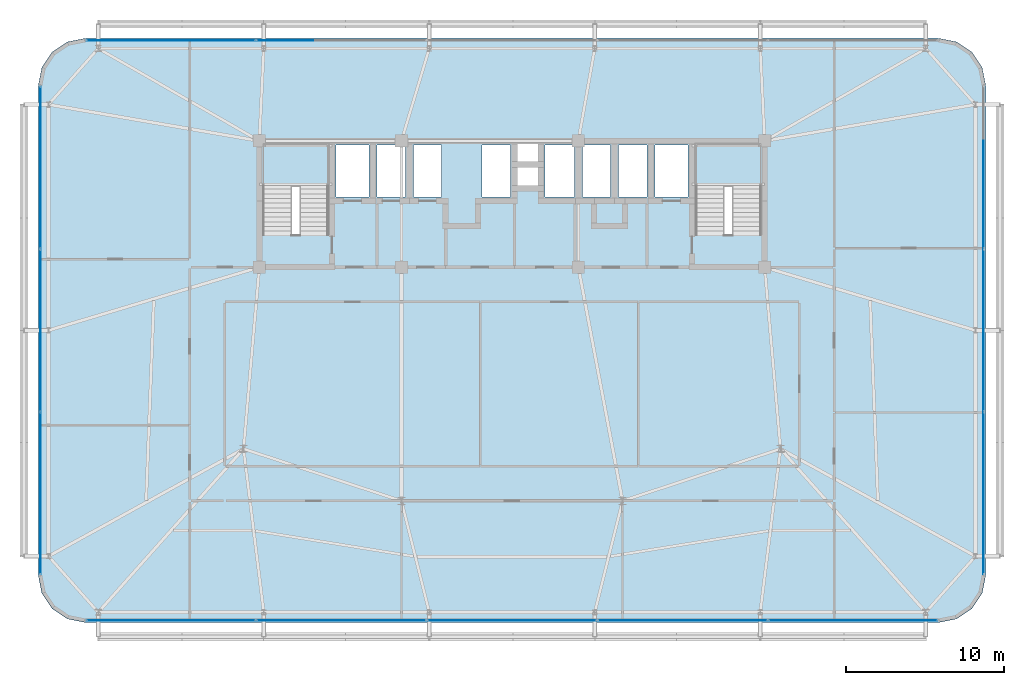
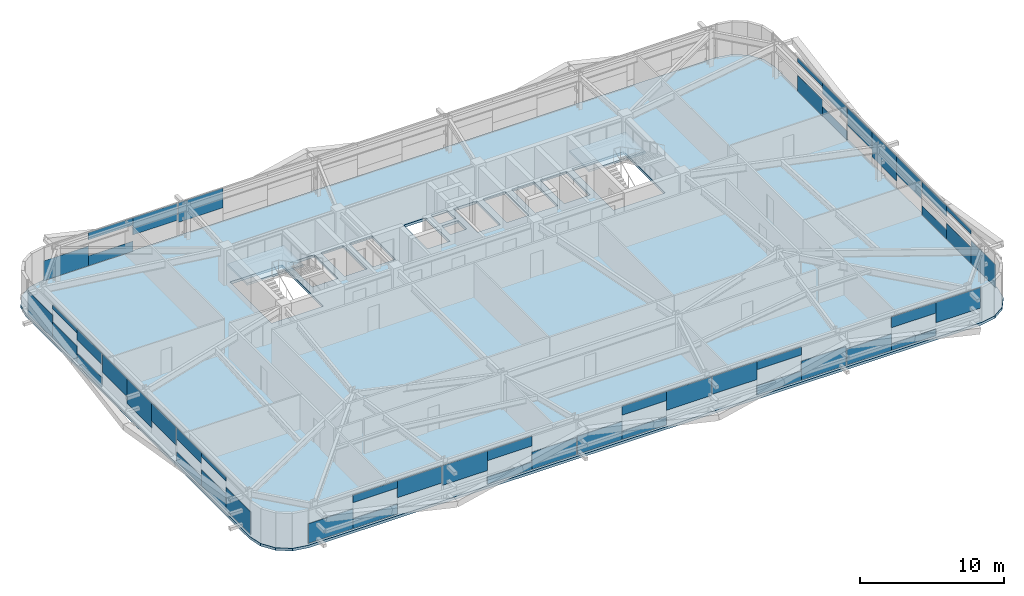
# One storey, part 29 of 44: 50 plates, 3 slabs, 6 elements without a shape of their own.
"""IFC4 building model written with IfcOpenShell, lengths in metres."""

from ifc_helpers import new_model, si_unit, direction, frame, origin, origin_2d, place, context, subcontext, project, spatial, polyline, rectangle, outline, extrude, source, transform, mapped, material, layer, layer_set, type_object, element, aggregate, save


model = new_model("IFC4")

# Units and contexts
model_context = context("Model", 3, precision=1e-05, world=origin(), true_north=direction((0.0, 1.0)))
body_context = subcontext(model_context, "Body", "Model", "MODEL_VIEW")
ifc_project = project(units=[si_unit("LENGTHUNIT", "METRE"), si_unit("AREAUNIT", "SQUARE_METRE"), si_unit("VOLUMEUNIT", "CUBIC_METRE"), si_unit("PLANEANGLEUNIT", "RADIAN"), si_unit("MASSUNIT", "GRAM", prefix="KILO")], contexts=[model_context])

# Site, building, storey
site_placement = place(None, origin())
site = spatial("IfcSite", under=ifc_project, at=site_placement, CompositionType="ELEMENT")
building_placement = place(site_placement, origin())
building = spatial("IfcBuilding", under=site, at=building_placement, Name="Taldren Reach Tower", CompositionType="ELEMENT")
storey_placement = place(building_placement, frame((0.0, 0.0, 38.85009765625)))
storey = spatial("IfcBuildingStorey", under=building, at=storey_placement, Name="L11", CompositionType="ELEMENT", Elevation=38.85009765625)

# Slab
ifc_material_1 = material(Name="Concrete N40 (40 MPa)", Category="concrete")
ifc_layer_1 = layer(ifc_material_1, 0.219970703125)
ifc_layer_set_1 = layer_set([ifc_layer_1], Name="Concrete N40 (40 MPa)")
slab_type_1 = type_object("IfcSlabType", Name="SL-FLR-220", PredefinedType="FLOOR", material=ifc_layer_set_1)
slab_1_placement = place(storey_placement, frame((0.0, 0.0, -0.22021484375)))
element("IfcSlab", 1, at=slab_1_placement, inside=storey, type_object=slab_type_1, Name="Suspended floor slab L11", PredefinedType="FLOOR", context=body_context, shape_type="SweptSolid", body=[
    extrude(outline(polyline([(62.0, 1.5), (63.14794921875, 1.728271484375), (64.121337890625, 2.378662109375), (64.771728515625, 3.35205078125), (65.0, 4.5), (65.0, 35.5), (64.771728515625, 36.64794921875), (64.121337890625, 37.621337890625), (63.14794921875, 38.271728515625), (62.0, 38.5), (8.0, 38.5), (6.85205078125, 38.271728515625), (5.878662109375, 37.621337890625), (5.228271484375, 36.64794921875), (5.0, 35.5), (5.0, 4.5), (5.228271484375, 3.35205078125), (5.878662109375, 2.378662109375), (6.85205078125, 1.728271484375), (8.0, 1.5), (62.0, 1.5)]), holes=[polyline([(19.219970703125, 26.050048828125), (23.3798828125, 26.050048828125), (23.3798828125, 31.820068359375), (19.219970703125, 31.820068359375), (19.219970703125, 26.050048828125)]), polyline([(46.6201171875, 26.050048828125), (50.780029296875, 26.050048828125), (50.780029296875, 31.820068359375), (46.6201171875, 31.820068359375), (46.6201171875, 26.050048828125)]), polyline([(23.85009765625, 28.449951171875), (25.949951171875, 28.449951171875), (25.949951171875, 31.75), (23.85009765625, 31.75), (23.85009765625, 28.449951171875)]), polyline([(44.050048828125, 28.449951171875), (46.14990234375, 28.449951171875), (46.14990234375, 31.75), (44.050048828125, 31.75), (44.050048828125, 28.449951171875)]), polyline([(26.449951171875, 28.449951171875), (28.25, 28.449951171875), (28.25, 31.75), (26.449951171875, 31.75), (26.449951171875, 28.449951171875)]), polyline([(28.75, 28.449951171875), (30.550048828125, 28.449951171875), (30.550048828125, 31.75), (28.75, 31.75), (28.75, 28.449951171875)]), polyline([(33.10009765625, 28.449951171875), (34.89990234375, 28.449951171875), (34.89990234375, 31.75), (33.10009765625, 31.75), (33.10009765625, 28.449951171875)]), polyline([(37.10009765625, 28.449951171875), (38.949951171875, 28.449951171875), (38.949951171875, 31.75), (37.10009765625, 31.75), (37.10009765625, 28.449951171875)]), polyline([(39.449951171875, 28.449951171875), (41.25, 28.449951171875), (41.25, 31.75), (39.449951171875, 31.75), (39.449951171875, 28.449951171875)]), polyline([(41.75, 28.449951171875), (43.550048828125, 28.449951171875), (43.550048828125, 31.75), (41.75, 31.75), (41.75, 28.449951171875)]), polyline([(35.35009765625, 30.64990234375), (36.64990234375, 30.64990234375), (36.64990234375, 31.85009765625), (35.35009765625, 31.85009765625), (35.35009765625, 30.64990234375)]), polyline([(35.35009765625, 29.14990234375), (36.64990234375, 29.14990234375), (36.64990234375, 30.35009765625), (35.35009765625, 30.35009765625), (35.35009765625, 29.14990234375)])]), origin(), (0.0, 0.0, 1.0), 0.22021484375),
])

# Stair, slab
ifc_material_2 = material(Name="Concrete S50 (50 MPa)", Category="concrete")
stair_type = type_object("IfcStairType", Name="ST-HT-315", PredefinedType="HALF_TURN_STAIR", material=ifc_material_2)
stair_1_placement = place(storey_placement, origin())
stair_1 = element("IfcStair", 2, at=stair_1_placement, inside=storey, type_object=stair_type, Name="Fire-isolated exit stair ST1 L11", PredefinedType="HALF_TURN_STAIR")
ifc_layer_2 = layer(ifc_material_2, 0.179931640625)
ifc_layer_set_2 = layer_set([ifc_layer_2], Name="Concrete S50 (50 MPa)")
slab_type_2 = type_object("IfcSlabType", Name="SL-LAND-180", PredefinedType="LANDING", material=ifc_layer_set_2)
slab_2_placement = place(storey_placement, frame((0.0, 0.0, 1.39501953125)))
slab_2 = element("IfcSlab", 3, at=slab_2_placement, type_object=slab_type_2, Name="ST1 landing 1", PredefinedType="LANDING", context=body_context, shape_type="SweptSolid", body=[
    extrude(outline(polyline([(19.0400390625, 29.135009765625), (23.56005859375, 29.135009765625), (23.56005859375, 31.8701171875), (19.0400390625, 31.8701171875), (19.0400390625, 29.135009765625)])), origin(), (0.0, 0.0, 1.0), 0.179931640625),
])
aggregate(stair_1, [slab_2])

stair_2_placement = place(storey_placement, origin())
stair_2 = element("IfcStair", 4, at=stair_2_placement, inside=storey, type_object=stair_type, Name="Fire-isolated exit stair ST2 L11", PredefinedType="HALF_TURN_STAIR")
slab_3_placement = place(storey_placement, frame((0.0, 0.0, 1.39501953125)))
slab_3 = element("IfcSlab", 5, at=slab_3_placement, type_object=slab_type_2, Name="ST2 landing 1", PredefinedType="LANDING", context=body_context, shape_type="SweptSolid", body=[
    extrude(outline(polyline([(46.43994140625, 29.135009765625), (50.9599609375, 29.135009765625), (50.9599609375, 31.8701171875), (46.43994140625, 31.8701171875), (46.43994140625, 29.135009765625)])), origin(), (0.0, 0.0, 1.0), 0.179931640625),
])
aggregate(stair_2, [slab_3])

# Curtain wall, plates
ifc_material_3 = material(Name="Aluminium and Low-E Glass Unitised System", Category="aluminium")
ifc_layer_3 = layer(ifc_material_3, 0.159912109375)
ifc_layer_set_3 = layer_set([ifc_layer_3], Name="Aluminium and Low-E Glass Unitised System")
curtain_wall_type = type_object("IfcCurtainWallType", Name="CW-SYS-2", PredefinedType="NOTDEFINED", material=ifc_layer_set_3)
curtain_wall_1_placement = place(storey_placement, origin())
curtain_wall_1 = element("IfcCurtainWall", 6, at=curtain_wall_1_placement, inside=storey, type_object=curtain_wall_type, Name="Unitised curtain wall CW-L11-S", PredefinedType="NOTDEFINED")
ifc_material_4 = material(Name="Solar-Control Double Glazed IGU", Category="glass")
ifc_layer_4 = layer(ifc_material_4, 0.031982421875)
ifc_layer_set_4 = layer_set([ifc_layer_4], Name="Solar-Control Double Glazed IGU")
plate_type = type_object("IfcPlateType", Name="CW-PNL-IGU32", PredefinedType="CURTAIN_PANEL", material=ifc_layer_set_4)
shared_shape_1 = source(origin(), body_context, "Body", "SweptSolid", [
    extrude(rectangle(XDim=3.5673828125, YDim=0.031982421875, at=origin_2d()), origin(), (0.0, 0.0, 1.0), 1.7314453125),
])
plate_1_placement = place(storey_placement, frame((60.1513671875, 1.639892578125, 1.1435546875), z_axis=(0.0, 0.0, 1.0), x_axis=(1.0, 0.0, 0.0)))
plate_1 = element("IfcPlate", 7, at=plate_1_placement, type_object=plate_type, Name="CW-2 panel 5.1 part 4", PredefinedType="CURTAIN_PANEL", context=body_context, shape_type="MappedRepresentation", body=[
    mapped(shared_shape_1, transform((0.0, 0.0, 0.0), scale=1.0)),
])
shared_shape_2 = source(origin(), body_context, "Body", "SweptSolid", [
    extrude(rectangle(XDim=3.5673828125, YDim=0.031982421875, at=origin_2d()), origin(), (0.0, 0.0, 1.0), 0.554931640625),
])
plate_2_placement = place(storey_placement, frame((56.583740234375, 1.639892578125, 0.05517578125), z_axis=(0.0, 0.0, 1.0), x_axis=(1.0, 0.0, 0.0)))
plate_2 = element("IfcPlate", 8, at=plate_2_placement, type_object=plate_type, Name="CW-2 panel 5.1 part 2", PredefinedType="CURTAIN_PANEL", context=body_context, shape_type="MappedRepresentation", body=[
    mapped(shared_shape_2, transform((0.0, 0.0, 0.0), scale=1.0)),
])
shared_shape_3 = source(origin(), body_context, "Body", "SweptSolid", [
    extrude(rectangle(XDim=3.5673828125, YDim=0.031982421875, at=origin_2d()), origin(), (0.0, 0.0, 1.0), 0.904296875),
])
plate_3_placement = place(storey_placement, frame((56.583740234375, 1.639892578125, 1.970703125), z_axis=(0.0, 0.0, 1.0), x_axis=(1.0, 0.0, 0.0)))
plate_3 = element("IfcPlate", 9, at=plate_3_placement, type_object=plate_type, Name="CW-2 panel 5.1 part 3", PredefinedType="CURTAIN_PANEL", context=body_context, shape_type="MappedRepresentation", body=[
    mapped(shared_shape_3, transform((0.0, 0.0, 0.0), scale=1.0)),
])
shared_shape_4 = source(origin(), body_context, "Body", "SweptSolid", [
    extrude(rectangle(XDim=3.5673828125, YDim=0.031982421875, at=origin_2d()), origin(), (0.0, 0.0, 1.0), 1.38232421875),
])
plate_4_placement = place(storey_placement, frame((53.016357421875, 1.639892578125, 0.054931640625), z_axis=(0.0, 0.0, 1.0), x_axis=(1.0, 0.0, 0.0)))
plate_4 = element("IfcPlate", 10, at=plate_4_placement, type_object=plate_type, Name="CW-2 panel 5.1 part 1", PredefinedType="CURTAIN_PANEL", context=body_context, shape_type="MappedRepresentation", body=[
    mapped(shared_shape_4, transform((0.0, 0.0, 0.0), scale=1.0)),
])
shared_shape_5 = source(origin(), body_context, "Body", "SweptSolid", [
    extrude(rectangle(XDim=3.578369140625, YDim=0.031982421875, at=origin_2d()), origin(), (0.0, 0.0, 1.0), 1.602294921875),
])
plate_5_placement = place(storey_placement, frame((49.37841796875, 1.639892578125, 0.0546875), z_axis=(0.0, 0.0, 1.0), x_axis=(1.0, 0.0, 0.0)))
plate_5 = element("IfcPlate", 11, at=plate_5_placement, type_object=plate_type, Name="CW-2 panel 4.1 part 4", PredefinedType="CURTAIN_PANEL", context=body_context, shape_type="MappedRepresentation", body=[
    mapped(shared_shape_5, transform((0.0, 0.0, 0.0), scale=1.0)),
])
shared_shape_6 = source(origin(), body_context, "Body", "SweptSolid", [
    extrude(rectangle(XDim=3.578369140625, YDim=0.031982421875, at=origin_2d()), origin(), (0.0, 0.0, 1.0), 0.7724609375),
])
plate_6_placement = place(storey_placement, frame((45.800048828125, 1.639892578125, 0.054931640625), z_axis=(0.0, 0.0, 1.0), x_axis=(1.0, 0.0, 0.0)))
plate_6 = element("IfcPlate", 12, at=plate_6_placement, type_object=plate_type, Name="CW-2 panel 4.1 part 2", PredefinedType="CURTAIN_PANEL", context=body_context, shape_type="MappedRepresentation", body=[
    mapped(shared_shape_6, transform((0.0, 0.0, 0.0), scale=1.0)),
])
shared_shape_7 = source(origin(), body_context, "Body", "SweptSolid", [
    extrude(rectangle(XDim=3.578369140625, YDim=0.031982421875, at=origin_2d()), origin(), (0.0, 0.0, 1.0), 0.68408203125),
])
plate_7_placement = place(storey_placement, frame((45.800048828125, 1.639892578125, 2.190673828125), z_axis=(0.0, 0.0, 1.0), x_axis=(1.0, 0.0, 0.0)))
plate_7 = element("IfcPlate", 13, at=plate_7_placement, type_object=plate_type, Name="CW-2 panel 4.1 part 3", PredefinedType="CURTAIN_PANEL", context=body_context, shape_type="MappedRepresentation", body=[
    mapped(shared_shape_7, transform((0.0, 0.0, 0.0), scale=1.0)),
])
shared_shape_8 = source(origin(), body_context, "Body", "SweptSolid", [
    extrude(rectangle(XDim=3.578369140625, YDim=0.031982421875, at=origin_2d()), origin(), (0.0, 0.0, 1.0), 1.513916015625),
])
plate_8_placement = place(storey_placement, frame((42.2216796875, 1.639892578125, 1.36083984375), z_axis=(0.0, 0.0, 1.0), x_axis=(1.0, 0.0, 0.0)))
plate_8 = element("IfcPlate", 14, at=plate_8_placement, type_object=plate_type, Name="CW-2 panel 4.1 part 1", PredefinedType="CURTAIN_PANEL", context=body_context, shape_type="MappedRepresentation", body=[
    mapped(shared_shape_8, transform((0.0, 0.0, 0.0), scale=1.0)),
])
shared_shape_9 = source(origin(), body_context, "Body", "SweptSolid", [
    extrude(rectangle(XDim=3.578369140625, YDim=0.031982421875, at=origin_2d()), origin(), (0.0, 0.0, 1.0), 1.588134765625),
])
plate_9_placement = place(storey_placement, frame((38.578369140625, 1.639892578125, 1.28662109375), z_axis=(0.0, 0.0, 1.0), x_axis=(1.0, 0.0, 0.0)))
plate_9 = element("IfcPlate", 15, at=plate_9_placement, type_object=plate_type, Name="CW-2 panel 3.1 part 4", PredefinedType="CURTAIN_PANEL", context=body_context, shape_type="MappedRepresentation", body=[
    mapped(shared_shape_9, transform((0.0, 0.0, 0.0), scale=1.0)),
])
shared_shape_10 = source(origin(), body_context, "Body", "SweptSolid", [
    extrude(rectangle(XDim=3.578369140625, YDim=0.031982421875, at=origin_2d()), origin(), (0.0, 0.0, 1.0), 0.698486328125),
])
plate_10_placement = place(storey_placement, frame((35.0, 1.639892578125, 0.0546875), z_axis=(0.0, 0.0, 1.0), x_axis=(1.0, 0.0, 0.0)))
plate_10 = element("IfcPlate", 16, at=plate_10_placement, type_object=plate_type, Name="CW-2 panel 3.1 part 2", PredefinedType="CURTAIN_PANEL", context=body_context, shape_type="MappedRepresentation", body=[
    mapped(shared_shape_10, transform((0.0, 0.0, 0.0), scale=1.0)),
])
shared_shape_11 = source(origin(), body_context, "Body", "SweptSolid", [
    extrude(rectangle(XDim=3.578369140625, YDim=0.031982421875, at=origin_2d()), origin(), (0.0, 0.0, 1.0), 0.75830078125),
])
plate_11_placement = place(storey_placement, frame((35.0, 1.639892578125, 2.116455078125), z_axis=(0.0, 0.0, 1.0), x_axis=(1.0, 0.0, 0.0)))
plate_11 = element("IfcPlate", 17, at=plate_11_placement, type_object=plate_type, Name="CW-2 panel 3.1 part 3", PredefinedType="CURTAIN_PANEL", context=body_context, shape_type="MappedRepresentation", body=[
    mapped(shared_shape_11, transform((0.0, 0.0, 0.0), scale=1.0)),
])
shared_shape_12 = source(origin(), body_context, "Body", "SweptSolid", [
    extrude(rectangle(XDim=3.578369140625, YDim=0.031982421875, at=origin_2d()), origin(), (0.0, 0.0, 1.0), 1.528076171875),
])
plate_12_placement = place(storey_placement, frame((31.421630859375, 1.639892578125, 0.0546875), z_axis=(0.0, 0.0, 1.0), x_axis=(1.0, 0.0, 0.0)))
plate_12 = element("IfcPlate", 18, at=plate_12_placement, type_object=plate_type, Name="CW-2 panel 3.1 part 1", PredefinedType="CURTAIN_PANEL", context=body_context, shape_type="MappedRepresentation", body=[
    mapped(shared_shape_12, transform((0.0, 0.0, 0.0), scale=1.0)),
])
shared_shape_13 = source(origin(), body_context, "Body", "SweptSolid", [
    extrude(rectangle(XDim=3.578369140625, YDim=0.031982421875, at=origin_2d()), origin(), (0.0, 0.0, 1.0), 1.453857421875),
])
plate_13_placement = place(storey_placement, frame((27.7783203125, 1.639892578125, 0.0546875), z_axis=(0.0, 0.0, 1.0), x_axis=(1.0, 0.0, 0.0)))
plate_13 = element("IfcPlate", 19, at=plate_13_placement, type_object=plate_type, Name="CW-2 panel 2.1 part 4", PredefinedType="CURTAIN_PANEL", context=body_context, shape_type="MappedRepresentation", body=[
    mapped(shared_shape_13, transform((0.0, 0.0, 0.0), scale=1.0)),
])
shared_shape_14 = source(origin(), body_context, "Body", "SweptSolid", [
    extrude(rectangle(XDim=3.578369140625, YDim=0.031982421875, at=origin_2d()), origin(), (0.0, 0.0, 1.0), 0.624267578125),
])
plate_14_placement = place(storey_placement, frame((24.199951171875, 1.639892578125, 0.0546875), z_axis=(0.0, 0.0, 1.0), x_axis=(1.0, 0.0, 0.0)))
plate_14 = element("IfcPlate", 20, at=plate_14_placement, type_object=plate_type, Name="CW-2 panel 2.1 part 2", PredefinedType="CURTAIN_PANEL", context=body_context, shape_type="MappedRepresentation", body=[
    mapped(shared_shape_14, transform((0.0, 0.0, 0.0), scale=1.0)),
])
shared_shape_15 = source(origin(), body_context, "Body", "SweptSolid", [
    extrude(rectangle(XDim=3.578369140625, YDim=0.031982421875, at=origin_2d()), origin(), (0.0, 0.0, 1.0), 0.83251953125),
])
plate_15_placement = place(storey_placement, frame((24.199951171875, 1.639892578125, 2.042236328125), z_axis=(0.0, 0.0, 1.0), x_axis=(1.0, 0.0, 0.0)))
plate_15 = element("IfcPlate", 21, at=plate_15_placement, type_object=plate_type, Name="CW-2 panel 2.1 part 3", PredefinedType="CURTAIN_PANEL", context=body_context, shape_type="MappedRepresentation", body=[
    mapped(shared_shape_15, transform((0.0, 0.0, 0.0), scale=1.0)),
])
shared_shape_16 = source(origin(), body_context, "Body", "SweptSolid", [
    extrude(rectangle(XDim=3.578369140625, YDim=0.031982421875, at=origin_2d()), origin(), (0.0, 0.0, 1.0), 1.662353515625),
])
plate_16_placement = place(storey_placement, frame((20.62158203125, 1.639892578125, 1.21240234375), z_axis=(0.0, 0.0, 1.0), x_axis=(1.0, 0.0, 0.0)))
plate_16 = element("IfcPlate", 22, at=plate_16_placement, type_object=plate_type, Name="CW-2 panel 2.1 part 1", PredefinedType="CURTAIN_PANEL", context=body_context, shape_type="MappedRepresentation", body=[
    mapped(shared_shape_16, transform((0.0, 0.0, 0.0), scale=1.0)),
])

# Curtain wall, plate
curtain_wall_2_placement = place(storey_placement, origin())
curtain_wall_2 = element("IfcCurtainWall", 23, at=curtain_wall_2_placement, inside=storey, type_object=curtain_wall_type, Name="Unitised curtain wall CW-L11-N", PredefinedType="NOTDEFINED")
plate_17_placement = place(storey_placement, frame((20.62158203125, 38.360107421875, 1.21240234375), z_axis=(0.0, 0.0, 1.0), x_axis=(-1.0, 0.0, 0.0)))
plate_17 = element("IfcPlate", 24, at=plate_17_placement, type_object=plate_type, Name="CW-2 panel 4.1 part 4", PredefinedType="CURTAIN_PANEL", context=body_context, shape_type="MappedRepresentation", body=[
    mapped(shared_shape_16, transform((0.0, 0.0, 0.0), scale=1.0)),
])

# Plate
shared_shape_17 = source(origin(), body_context, "Body", "SweptSolid", [
    extrude(rectangle(XDim=3.5673828125, YDim=0.031982421875, at=origin_2d()), origin(), (0.0, 0.0, 1.0), 1.442138671875),
])
plate_18_placement = place(storey_placement, frame((16.983642578125, 1.639892578125, 1.4326171875), z_axis=(0.0, 0.0, 1.0), x_axis=(1.0, 0.0, 0.0)))
plate_18 = element("IfcPlate", 25, at=plate_18_placement, type_object=plate_type, Name="CW-2 panel 1.1 part 4", PredefinedType="CURTAIN_PANEL", context=body_context, shape_type="MappedRepresentation", body=[
    mapped(shared_shape_17, transform((0.0, 0.0, 0.0), scale=1.0)),
])

plate_19_placement = place(storey_placement, frame((16.983642578125, 38.360107421875, 1.4326171875), z_axis=(0.0, 0.0, 1.0), x_axis=(-1.0, 0.0, 0.0)))
plate_19 = element("IfcPlate", 26, at=plate_19_placement, type_object=plate_type, Name="CW-2 panel 5.1 part 1", PredefinedType="CURTAIN_PANEL", context=body_context, shape_type="MappedRepresentation", body=[
    mapped(shared_shape_17, transform((0.0, 0.0, 0.0), scale=1.0)),
])

shared_shape_18 = source(origin(), body_context, "Body", "SweptSolid", [
    extrude(rectangle(XDim=3.5673828125, YDim=0.031982421875, at=origin_2d()), origin(), (0.0, 0.0, 1.0), 0.84423828125),
])
plate_20_placement = place(storey_placement, frame((13.416259765625, 1.639892578125, 0.054931640625), z_axis=(0.0, 0.0, 1.0), x_axis=(1.0, 0.0, 0.0)))
plate_20 = element("IfcPlate", 27, at=plate_20_placement, type_object=plate_type, Name="CW-2 panel 1.1 part 2", PredefinedType="CURTAIN_PANEL", context=body_context, shape_type="MappedRepresentation", body=[
    mapped(shared_shape_18, transform((0.0, 0.0, 0.0), scale=1.0)),
])

plate_21_placement = place(storey_placement, frame((13.416259765625, 38.360107421875, 0.054931640625), z_axis=(0.0, 0.0, 1.0), x_axis=(-1.0, 0.0, 0.0)))
plate_21 = element("IfcPlate", 28, at=plate_21_placement, type_object=plate_type, Name="CW-2 panel 5.1 part 2", PredefinedType="CURTAIN_PANEL", context=body_context, shape_type="MappedRepresentation", body=[
    mapped(shared_shape_18, transform((0.0, 0.0, 0.0), scale=1.0)),
])

shared_shape_19 = source(origin(), body_context, "Body", "SweptSolid", [
    extrude(rectangle(XDim=3.5673828125, YDim=0.031982421875, at=origin_2d()), origin(), (0.0, 0.0, 1.0), 0.614990234375),
])
plate_22_placement = place(storey_placement, frame((13.416259765625, 1.639892578125, 2.259765625), z_axis=(0.0, 0.0, 1.0), x_axis=(1.0, 0.0, 0.0)))
plate_22 = element("IfcPlate", 29, at=plate_22_placement, type_object=plate_type, Name="CW-2 panel 1.1 part 3", PredefinedType="CURTAIN_PANEL", context=body_context, shape_type="MappedRepresentation", body=[
    mapped(shared_shape_19, transform((0.0, 0.0, 0.0), scale=1.0)),
])

plate_23_placement = place(storey_placement, frame((13.416259765625, 38.360107421875, 2.259765625), z_axis=(0.0, 0.0, 1.0), x_axis=(-1.0, 0.0, 0.0)))
plate_23 = element("IfcPlate", 30, at=plate_23_placement, type_object=plate_type, Name="CW-2 panel 5.1 part 3", PredefinedType="CURTAIN_PANEL", context=body_context, shape_type="MappedRepresentation", body=[
    mapped(shared_shape_19, transform((0.0, 0.0, 0.0), scale=1.0)),
])

shared_shape_20 = source(origin(), body_context, "Body", "SweptSolid", [
    extrude(rectangle(XDim=3.5673828125, YDim=0.031982421875, at=origin_2d()), origin(), (0.0, 0.0, 1.0), 1.67138671875),
])
plate_24_placement = place(storey_placement, frame((9.8486328125, 1.639892578125, 0.054931640625), z_axis=(0.0, 0.0, 1.0), x_axis=(1.0, 0.0, 0.0)))
plate_24 = element("IfcPlate", 31, at=plate_24_placement, type_object=plate_type, Name="CW-2 panel 1.1 part 1", PredefinedType="CURTAIN_PANEL", context=body_context, shape_type="MappedRepresentation", body=[
    mapped(shared_shape_20, transform((0.0, 0.0, 0.0), scale=1.0)),
])

aggregate(curtain_wall_1, [plate_24, plate_20, plate_22, plate_18, plate_16, plate_14, plate_15, plate_13, plate_12, plate_10, plate_11, plate_9, plate_8, plate_6, plate_7, plate_5, plate_4, plate_2, plate_3, plate_1])

plate_25_placement = place(storey_placement, frame((9.8486328125, 38.360107421875, 0.054931640625), z_axis=(0.0, 0.0, 1.0), x_axis=(-1.0, 0.0, 0.0)))
plate_25 = element("IfcPlate", 32, at=plate_25_placement, type_object=plate_type, Name="CW-2 panel 5.1 part 4", PredefinedType="CURTAIN_PANEL", context=body_context, shape_type="MappedRepresentation", body=[
    mapped(shared_shape_20, transform((0.0, 0.0, 0.0), scale=1.0)),
])

aggregate(curtain_wall_2, [plate_17, plate_19, plate_21, plate_23, plate_25])

# Curtain wall, plates
curtain_wall_3_placement = place(storey_placement, origin())
curtain_wall_3 = element("IfcCurtainWall", 33, at=curtain_wall_3_placement, inside=storey, type_object=curtain_wall_type, Name="Unitised curtain wall CW-L11-W", PredefinedType="NOTDEFINED")
shared_shape_21 = source(origin(), body_context, "Body", "SweptSolid", [
    extrude(rectangle(XDim=3.411865234375, YDim=0.031982421875, at=origin_2d()), origin(), (0.0, 0.0, 1.0), 1.9443359375),
])
plate_26_placement = place(storey_placement, frame((5.139892578125, 33.72900390625, 0.054931640625), z_axis=(0.0, 0.0, 1.0), x_axis=(0.0, -1.0, 0.0)))
plate_26 = element("IfcPlate", 34, at=plate_26_placement, type_object=plate_type, Name="CW-2 panel 1.1 part 1", PredefinedType="CURTAIN_PANEL", context=body_context, shape_type="MappedRepresentation", body=[
    mapped(shared_shape_21, transform((0.0, 0.0, 0.0), scale=1.0)),
])
plate_27_placement = place(storey_placement, frame((5.139892578125, 6.27099609375, 0.054931640625), z_axis=(0.0, 0.0, 1.0), x_axis=(0.0, -1.0, 0.0)))
plate_27 = element("IfcPlate", 35, at=plate_27_placement, type_object=plate_type, Name="CW-2 panel 3.1 part 5", PredefinedType="CURTAIN_PANEL", context=body_context, shape_type="MappedRepresentation", body=[
    mapped(shared_shape_21, transform((0.0, 0.0, 0.0), scale=1.0)),
])

# Curtain wall, plate
curtain_wall_4_placement = place(storey_placement, origin())
curtain_wall_4 = element("IfcCurtainWall", 36, at=curtain_wall_4_placement, inside=storey, type_object=curtain_wall_type, Name="Unitised curtain wall CW-L11-E", PredefinedType="NOTDEFINED")
plate_28_placement = place(storey_placement, frame((64.860107421875, 6.27099609375, 0.054931640625), z_axis=(0.0, 0.0, 1.0), x_axis=(0.0, 1.0, 0.0)))
plate_28 = element("IfcPlate", 37, at=plate_28_placement, type_object=plate_type, Name="CW-2 panel 1.1 part 1", PredefinedType="CURTAIN_PANEL", context=body_context, shape_type="MappedRepresentation", body=[
    mapped(shared_shape_21, transform((0.0, 0.0, 0.0), scale=1.0)),
])

# Plate
shared_shape_22 = source(origin(), body_context, "Body", "SweptSolid", [
    extrude(rectangle(XDim=3.411865234375, YDim=0.031982421875, at=origin_2d()), origin(), (0.0, 0.0, 1.0), 1.36474609375),
])
plate_29_placement = place(storey_placement, frame((5.139892578125, 30.317138671875, 0.054931640625), z_axis=(0.0, 0.0, 1.0), x_axis=(0.0, -1.0, 0.0)))
plate_29 = element("IfcPlate", 38, at=plate_29_placement, type_object=plate_type, Name="CW-2 panel 1.1 part 2", PredefinedType="CURTAIN_PANEL", context=body_context, shape_type="MappedRepresentation", body=[
    mapped(shared_shape_22, transform((0.0, 0.0, 0.0), scale=1.0)),
])

plate_30_placement = place(storey_placement, frame((5.139892578125, 9.682861328125, 0.054931640625), z_axis=(0.0, 0.0, 1.0), x_axis=(0.0, -1.0, 0.0)))
plate_30 = element("IfcPlate", 39, at=plate_30_placement, type_object=plate_type, Name="CW-2 panel 3.1 part 3", PredefinedType="CURTAIN_PANEL", context=body_context, shape_type="MappedRepresentation", body=[
    mapped(shared_shape_22, transform((0.0, 0.0, 0.0), scale=1.0)),
])

plate_31_placement = place(storey_placement, frame((64.860107421875, 9.682861328125, 0.054931640625), z_axis=(0.0, 0.0, 1.0), x_axis=(0.0, 1.0, 0.0)))
plate_31 = element("IfcPlate", 40, at=plate_31_placement, type_object=plate_type, Name="CW-2 panel 1.1 part 2", PredefinedType="CURTAIN_PANEL", context=body_context, shape_type="MappedRepresentation", body=[
    mapped(shared_shape_22, transform((0.0, 0.0, 0.0), scale=1.0)),
])

plate_32_placement = place(storey_placement, frame((64.860107421875, 30.317138671875, 0.054931640625), z_axis=(0.0, 0.0, 1.0), x_axis=(0.0, 1.0, 0.0)))
plate_32 = element("IfcPlate", 41, at=plate_32_placement, type_object=plate_type, Name="CW-2 panel 3.1 part 3", PredefinedType="CURTAIN_PANEL", context=body_context, shape_type="MappedRepresentation", body=[
    mapped(shared_shape_22, transform((0.0, 0.0, 0.0), scale=1.0)),
])

shared_shape_23 = source(origin(), body_context, "Body", "SweptSolid", [
    extrude(rectangle(XDim=3.411865234375, YDim=0.031982421875, at=origin_2d()), origin(), (0.0, 0.0, 1.0), 0.34814453125),
])
plate_33_placement = place(storey_placement, frame((5.139892578125, 30.317138671875, 2.526611328125), z_axis=(0.0, 0.0, 1.0), x_axis=(0.0, -1.0, 0.0)))
plate_33 = element("IfcPlate", 42, at=plate_33_placement, type_object=plate_type, Name="CW-2 panel 1.1 part 3", PredefinedType="CURTAIN_PANEL", context=body_context, shape_type="MappedRepresentation", body=[
    mapped(shared_shape_23, transform((0.0, 0.0, 0.0), scale=1.0)),
])

plate_34_placement = place(storey_placement, frame((5.139892578125, 9.682861328125, 2.526611328125), z_axis=(0.0, 0.0, 1.0), x_axis=(0.0, -1.0, 0.0)))
plate_34 = element("IfcPlate", 43, at=plate_34_placement, type_object=plate_type, Name="CW-2 panel 3.1 part 4", PredefinedType="CURTAIN_PANEL", context=body_context, shape_type="MappedRepresentation", body=[
    mapped(shared_shape_23, transform((0.0, 0.0, 0.0), scale=1.0)),
])

plate_35_placement = place(storey_placement, frame((64.860107421875, 9.682861328125, 2.526611328125), z_axis=(0.0, 0.0, 1.0), x_axis=(0.0, 1.0, 0.0)))
plate_35 = element("IfcPlate", 44, at=plate_35_placement, type_object=plate_type, Name="CW-2 panel 1.1 part 3", PredefinedType="CURTAIN_PANEL", context=body_context, shape_type="MappedRepresentation", body=[
    mapped(shared_shape_23, transform((0.0, 0.0, 0.0), scale=1.0)),
])

plate_36_placement = place(storey_placement, frame((64.860107421875, 30.317138671875, 2.526611328125), z_axis=(0.0, 0.0, 1.0), x_axis=(0.0, 1.0, 0.0)))
plate_36 = element("IfcPlate", 45, at=plate_36_placement, type_object=plate_type, Name="CW-2 panel 3.1 part 4", PredefinedType="CURTAIN_PANEL", context=body_context, shape_type="MappedRepresentation", body=[
    mapped(shared_shape_23, transform((0.0, 0.0, 0.0), scale=1.0)),
])

shared_shape_24 = source(origin(), body_context, "Body", "SweptSolid", [
    extrude(rectangle(XDim=3.411865234375, YDim=0.031982421875, at=origin_2d()), origin(), (0.0, 0.0, 1.0), 0.784912109375),
])
plate_37_placement = place(storey_placement, frame((5.139892578125, 26.905029296875, 0.0546875), z_axis=(0.0, 0.0, 1.0), x_axis=(0.0, -1.0, 0.0)))
plate_37 = element("IfcPlate", 46, at=plate_37_placement, type_object=plate_type, Name="CW-2 panel 1.1 part 4", PredefinedType="CURTAIN_PANEL", context=body_context, shape_type="MappedRepresentation", body=[
    mapped(shared_shape_24, transform((0.0, 0.0, 0.0), scale=1.0)),
])

plate_38_placement = place(storey_placement, frame((5.139892578125, 13.094970703125, 0.0546875), z_axis=(0.0, 0.0, 1.0), x_axis=(0.0, -1.0, 0.0)))
plate_38 = element("IfcPlate", 47, at=plate_38_placement, type_object=plate_type, Name="CW-2 panel 3.1 part 1", PredefinedType="CURTAIN_PANEL", context=body_context, shape_type="MappedRepresentation", body=[
    mapped(shared_shape_24, transform((0.0, 0.0, 0.0), scale=1.0)),
])

plate_39_placement = place(storey_placement, frame((64.860107421875, 13.094970703125, 0.0546875), z_axis=(0.0, 0.0, 1.0), x_axis=(0.0, 1.0, 0.0)))
plate_39 = element("IfcPlate", 48, at=plate_39_placement, type_object=plate_type, Name="CW-2 panel 1.1 part 4", PredefinedType="CURTAIN_PANEL", context=body_context, shape_type="MappedRepresentation", body=[
    mapped(shared_shape_24, transform((0.0, 0.0, 0.0), scale=1.0)),
])

plate_40_placement = place(storey_placement, frame((64.860107421875, 26.905029296875, 0.0546875), z_axis=(0.0, 0.0, 1.0), x_axis=(0.0, 1.0, 0.0)))
plate_40 = element("IfcPlate", 49, at=plate_40_placement, type_object=plate_type, Name="CW-2 panel 3.1 part 1", PredefinedType="CURTAIN_PANEL", context=body_context, shape_type="MappedRepresentation", body=[
    mapped(shared_shape_24, transform((0.0, 0.0, 0.0), scale=1.0)),
])

shared_shape_25 = source(origin(), body_context, "Body", "SweptSolid", [
    extrude(rectangle(XDim=3.411865234375, YDim=0.031982421875, at=origin_2d()), origin(), (0.0, 0.0, 1.0), 0.927978515625),
])
plate_41_placement = place(storey_placement, frame((5.139892578125, 26.905029296875, 1.94677734375), z_axis=(0.0, 0.0, 1.0), x_axis=(0.0, -1.0, 0.0)))
plate_41 = element("IfcPlate", 50, at=plate_41_placement, type_object=plate_type, Name="CW-2 panel 1.1 part 5", PredefinedType="CURTAIN_PANEL", context=body_context, shape_type="MappedRepresentation", body=[
    mapped(shared_shape_25, transform((0.0, 0.0, 0.0), scale=1.0)),
])

plate_42_placement = place(storey_placement, frame((5.139892578125, 13.094970703125, 1.94677734375), z_axis=(0.0, 0.0, 1.0), x_axis=(0.0, -1.0, 0.0)))
plate_42 = element("IfcPlate", 51, at=plate_42_placement, type_object=plate_type, Name="CW-2 panel 3.1 part 2", PredefinedType="CURTAIN_PANEL", context=body_context, shape_type="MappedRepresentation", body=[
    mapped(shared_shape_25, transform((0.0, 0.0, 0.0), scale=1.0)),
])

plate_43_placement = place(storey_placement, frame((64.860107421875, 13.094970703125, 1.94677734375), z_axis=(0.0, 0.0, 1.0), x_axis=(0.0, 1.0, 0.0)))
plate_43 = element("IfcPlate", 52, at=plate_43_placement, type_object=plate_type, Name="CW-2 panel 1.1 part 5", PredefinedType="CURTAIN_PANEL", context=body_context, shape_type="MappedRepresentation", body=[
    mapped(shared_shape_25, transform((0.0, 0.0, 0.0), scale=1.0)),
])

plate_44_placement = place(storey_placement, frame((64.860107421875, 26.905029296875, 1.94677734375), z_axis=(0.0, 0.0, 1.0), x_axis=(0.0, 1.0, 0.0)))
plate_44 = element("IfcPlate", 53, at=plate_44_placement, type_object=plate_type, Name="CW-2 panel 3.1 part 2", PredefinedType="CURTAIN_PANEL", context=body_context, shape_type="MappedRepresentation", body=[
    mapped(shared_shape_25, transform((0.0, 0.0, 0.0), scale=1.0)),
])

shared_shape_26 = source(origin(), body_context, "Body", "SweptSolid", [
    extrude(rectangle(XDim=3.4228515625, YDim=0.031982421875, at=origin_2d()), origin(), (0.0, 0.0, 1.0), 1.518798828125),
])
plate_45_placement = place(storey_placement, frame((5.139892578125, 23.4228515625, 1.35595703125), z_axis=(0.0, 0.0, 1.0), x_axis=(0.0, -1.0, 0.0)))
plate_45 = element("IfcPlate", 54, at=plate_45_placement, type_object=plate_type, Name="CW-2 panel 2.1 part 1", PredefinedType="CURTAIN_PANEL", context=body_context, shape_type="MappedRepresentation", body=[
    mapped(shared_shape_26, transform((0.0, 0.0, 0.0), scale=1.0)),
])

plate_46_placement = place(storey_placement, frame((5.139892578125, 16.5771484375, 1.35595703125), z_axis=(0.0, 0.0, 1.0), x_axis=(0.0, -1.0, 0.0)))
plate_46 = element("IfcPlate", 55, at=plate_46_placement, type_object=plate_type, Name="CW-2 panel 2.1 part 3", PredefinedType="CURTAIN_PANEL", context=body_context, shape_type="MappedRepresentation", body=[
    mapped(shared_shape_26, transform((0.0, 0.0, 0.0), scale=1.0)),
])

plate_47_placement = place(storey_placement, frame((64.860107421875, 16.5771484375, 1.35595703125), z_axis=(0.0, 0.0, 1.0), x_axis=(0.0, 1.0, 0.0)))
plate_47 = element("IfcPlate", 56, at=plate_47_placement, type_object=plate_type, Name="CW-2 panel 2.1 part 1", PredefinedType="CURTAIN_PANEL", context=body_context, shape_type="MappedRepresentation", body=[
    mapped(shared_shape_26, transform((0.0, 0.0, 0.0), scale=1.0)),
])

plate_48_placement = place(storey_placement, frame((64.860107421875, 23.4228515625, 1.35595703125), z_axis=(0.0, 0.0, 1.0), x_axis=(0.0, 1.0, 0.0)))
plate_48 = element("IfcPlate", 57, at=plate_48_placement, type_object=plate_type, Name="CW-2 panel 2.1 part 3", PredefinedType="CURTAIN_PANEL", context=body_context, shape_type="MappedRepresentation", body=[
    mapped(shared_shape_26, transform((0.0, 0.0, 0.0), scale=1.0)),
])

shared_shape_27 = source(origin(), body_context, "Body", "SweptSolid", [
    extrude(rectangle(XDim=3.4228515625, YDim=0.031982421875, at=origin_2d()), origin(), (0.0, 0.0, 1.0), 2.1005859375),
])
plate_49_placement = place(storey_placement, frame((5.139892578125, 20.0, 0.7744140625), z_axis=(0.0, 0.0, 1.0), x_axis=(0.0, -1.0, 0.0)))
plate_49 = element("IfcPlate", 58, at=plate_49_placement, type_object=plate_type, Name="CW-2 panel 2.1 part 2", PredefinedType="CURTAIN_PANEL", context=body_context, shape_type="MappedRepresentation", body=[
    mapped(shared_shape_27, transform((0.0, 0.0, 0.0), scale=1.0)),
])

aggregate(curtain_wall_3, [plate_26, plate_29, plate_33, plate_37, plate_41, plate_45, plate_49, plate_46, plate_38, plate_42, plate_30, plate_34, plate_27])

plate_50_placement = place(storey_placement, frame((64.860107421875, 20.0, 0.7744140625), z_axis=(0.0, 0.0, 1.0), x_axis=(0.0, 1.0, 0.0)))
plate_50 = element("IfcPlate", 59, at=plate_50_placement, type_object=plate_type, Name="CW-2 panel 2.1 part 2", PredefinedType="CURTAIN_PANEL", context=body_context, shape_type="MappedRepresentation", body=[
    mapped(shared_shape_27, transform((0.0, 0.0, 0.0), scale=1.0)),
])

aggregate(curtain_wall_4, [plate_28, plate_31, plate_35, plate_39, plate_43, plate_47, plate_50, plate_48, plate_40, plate_44, plate_32, plate_36])

save(model, "model.ifc")
